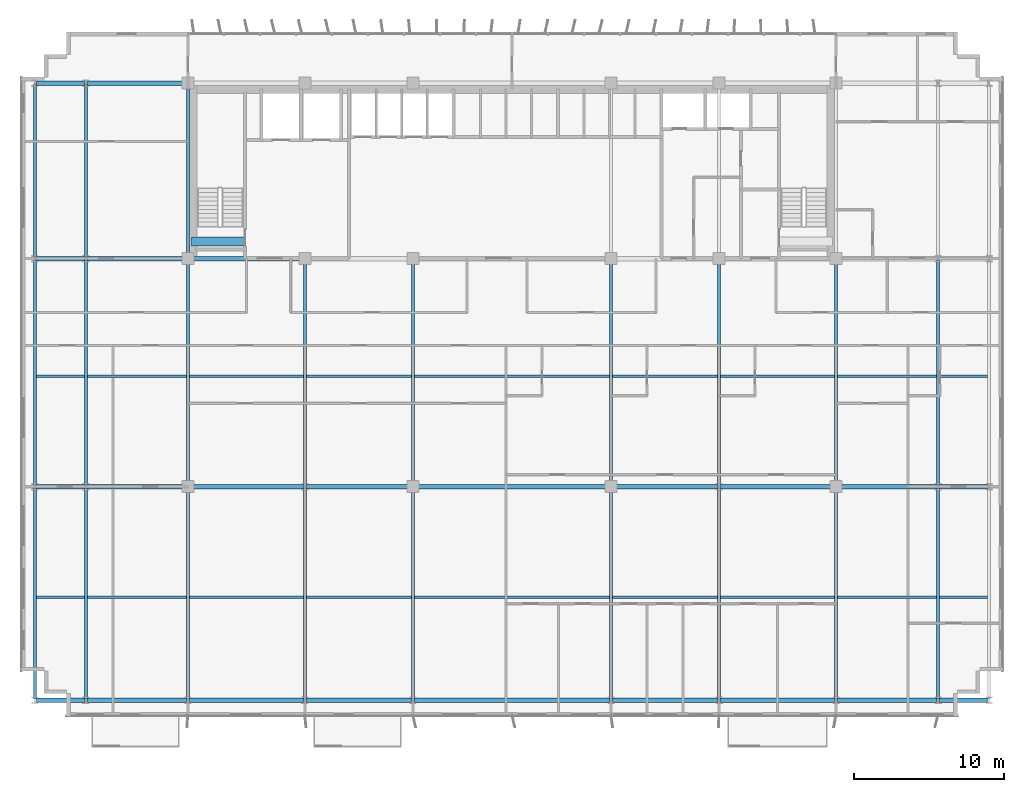
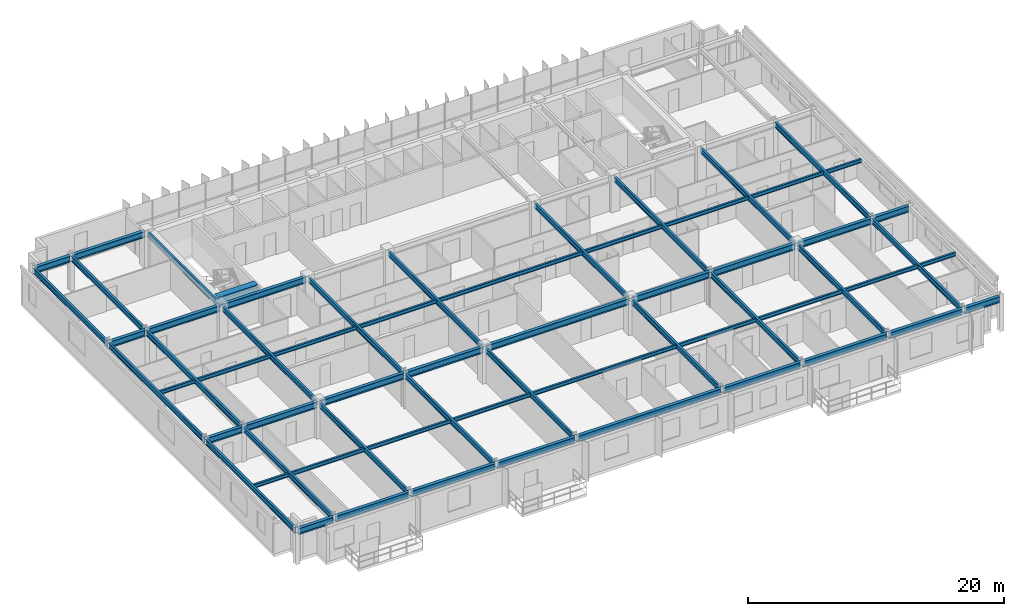
# One storey, part 4 of 22: 63 beams.
"""IFC4 building model written with IfcOpenShell, lengths in metres."""

from ifc_helpers import new_model, si_unit, direction, frame, origin, origin_2d, place, context, subcontext, project, spatial, rectangle, i_section, extrude, source, transform, mapped, material, material_profile, profile_set, type_object, element, save


model = new_model("IFC4")

# Units and contexts
model_context = context("Model", 3, precision=1e-05, world=origin(), true_north=direction((0.0, 1.0)))
body_context = subcontext(model_context, "Body", "Model", "MODEL_VIEW")
ifc_project = project(units=[si_unit("LENGTHUNIT", "METRE"), si_unit("AREAUNIT", "SQUARE_METRE"), si_unit("VOLUMEUNIT", "CUBIC_METRE"), si_unit("PLANEANGLEUNIT", "RADIAN"), si_unit("MASSUNIT", "GRAM", prefix="KILO")], contexts=[model_context])

# Site, building, storey
site_placement = place(None, origin())
site = spatial("IfcSite", under=ifc_project, at=site_placement, CompositionType="ELEMENT")
building_placement = place(site_placement, origin())
building = spatial("IfcBuilding", under=site, at=building_placement, Name="Trelvane Seafront Commons", CompositionType="ELEMENT")
storey_placement = place(building_placement, frame((0.0, 0.0, 88.89990234375)))
storey = spatial("IfcBuildingStorey", under=building, at=storey_placement, Name="L22", CompositionType="ELEMENT", Elevation=88.89990234375)

# Beams
ifc_material_1 = material(Name="Concrete C60/75", Category="concrete")
ifc_material_profile_1 = material_profile(ifc_material_1, rectangle(XDim=0.60009765625, YDim=0.89990234375, at=origin_2d()), Name="RC-600x900")
ifc_profile_set_1 = profile_set([ifc_material_profile_1], Name="Concrete C60/75")
beam_type_1 = type_object("IfcBeamType", Name="STR-LNT-RC600x900", PredefinedType="LINTEL", material=ifc_profile_set_1)
shared_shape_1 = source(origin(), body_context, "Body", "SweptSolid", [
    extrude(rectangle(XDim=0.60009765625, YDim=0.89990234375, at=origin_2d()), origin(), (0.0, 0.0, 1.0), 3.5498046875),
])
beam_1_placement = place(storey_placement, frame((15.85009765625, 34.550048828125, 2.89013671875), z_axis=(1.0, 0.0, 0.0), x_axis=(0.0, 1.0, 0.0)))
element("IfcBeam", 1, at=beam_1_placement, inside=storey, type_object=beam_type_1, Name="L22 Core Coupling Lintel Beam CB-85", PredefinedType="LINTEL", context=body_context, shape_type="MappedRepresentation", body=[
    mapped(shared_shape_1, transform((0.0, 0.0, 0.0), x_axis=(1.0, 0.0, 0.0), y_axis=(0.0, 1.0, 0.0), z_axis=(0.0, 0.0, 1.0), scale=1.0)),
])
ifc_material_2 = material(Name="Steel SM355 (S355)", Category="steel")
ifc_material_profile_2 = material_profile(ifc_material_2, i_section(OverallWidth=0.300048828125, OverallDepth=0.587890625, WebThickness=0.011962890625, FlangeThickness=0.02001953125, at=origin_2d()), Name="H-588x300x12x20")
ifc_profile_set_2 = profile_set([ifc_material_profile_2], Name="Steel SM355 (S355)")
beam_type_2 = type_object("IfcBeamType", Name="STR-BM-H588", PredefinedType="BEAM", material=ifc_profile_set_2)
shared_shape_2 = source(origin(), body_context, "Body", "SweptSolid", [
    extrude(i_section(OverallWidth=0.300048828125, OverallDepth=0.587890625, WebThickness=0.011962890625, FlangeThickness=0.02001953125, at=origin_2d()), origin(), (0.0, 0.0, 1.0), 7.550048828125),
])
beam_2_placement = place(storey_placement, frame((15.75, 18.199951171875, 3.046142578125), z_axis=(1.0, 0.0, 0.0), x_axis=(0.0, 1.0, 0.0)))
element("IfcBeam", 2, at=beam_2_placement, inside=storey, type_object=beam_type_2, Name="L22 Primary Girder G-12", PredefinedType="BEAM", context=body_context, shape_type="MappedRepresentation", body=[
    mapped(shared_shape_2, transform((0.0, 0.0, 0.0), x_axis=(1.0, 0.0, 0.0), y_axis=(0.0, 1.0, 0.0), z_axis=(0.0, 0.0, 1.0), scale=1.0)),
])
shared_shape_3 = source(origin(), body_context, "Body", "SweptSolid", [
    extrude(i_section(OverallWidth=0.300048828125, OverallDepth=0.587890625, WebThickness=0.011962890625, FlangeThickness=0.02001953125, at=origin_2d()), origin(), (0.0, 0.0, 1.0), 3.199951171875),
])
for number, where, z_axis, x_axis, name in (
    (3, (5.5, 3.949951171875, 3.046142578125), (1.0, 0.0, 0.0), (0.0, 1.0, 0.0), "L22 Primary Girder G-01"),
    (4, (65.699951171875, 3.949951171875, 3.046142578125), (1.0, 0.0, 0.0), (0.0, 1.0, 0.0), "L22 Primary Girder G-09"),
    (5, (5.5, 18.199951171875, 3.046142578125), (1.0, 0.0, 0.0), (0.0, 1.0, 0.0), "L22 Primary Girder G-10"),
    (6, (65.699951171875, 18.199951171875, 3.046142578125), (1.0, 0.0, 0.0), (0.0, 1.0, 0.0), "L22 Primary Girder G-18"),
    (7, (5.5, 33.39990234375, 3.046142578125), (1.0, 0.0, 0.0), (0.0, 1.0, 0.0), "L22 Primary Girder G-19"),
    (8, (5.5, 45.10009765625, 3.046142578125), (1.0, 0.0, 0.0), (0.0, 1.0, 0.0), "L22 Primary Girder G-28"),
):
    element("IfcBeam", number, at=place(storey_placement, frame(where, z_axis=z_axis, x_axis=x_axis)), inside=storey, type_object=beam_type_2, Name=name, PredefinedType="BEAM", context=body_context, shape_type="MappedRepresentation", body=[
        mapped(shared_shape_3, transform((0.0, 0.0, 0.0), x_axis=(1.0, 0.0, 0.0), y_axis=(0.0, 1.0, 0.0), z_axis=(0.0, 0.0, 1.0), scale=1.0)),
    ])
shared_shape_4 = source(origin(), body_context, "Body", "SweptSolid", [
    extrude(i_section(OverallWidth=0.300048828125, OverallDepth=0.587890625, WebThickness=0.011962890625, FlangeThickness=0.02001953125, at=origin_2d()), origin(), (0.0, 0.0, 1.0), 6.60009765625),
])
for number, where, z_axis, x_axis, name in (
    (9, (8.89990234375, 3.949951171875, 3.046142578125), (1.0, 0.0, 0.0), (0.0, 1.0, 0.0), "L22 Primary Girder G-02"),
    (10, (58.89990234375, 3.949951171875, 3.046142578125), (1.0, 0.0, 0.0), (0.0, 1.0, 0.0), "L22 Primary Girder G-08"),
):
    element("IfcBeam", number, at=place(storey_placement, frame(where, z_axis=z_axis, x_axis=x_axis)), inside=storey, type_object=beam_type_2, Name=name, PredefinedType="BEAM", context=body_context, shape_type="MappedRepresentation", body=[
        mapped(shared_shape_4, transform((0.0, 0.0, 0.0), x_axis=(1.0, 0.0, 0.0), y_axis=(0.0, 1.0, 0.0), z_axis=(0.0, 0.0, 1.0), scale=1.0)),
    ])
shared_shape_5 = source(origin(), body_context, "Body", "SweptSolid", [
    extrude(i_section(OverallWidth=0.300048828125, OverallDepth=0.587890625, WebThickness=0.011962890625, FlangeThickness=0.02001953125, at=origin_2d()), origin(), (0.0, 0.0, 1.0), 7.60009765625),
])
beam_3_placement = place(storey_placement, frame((15.699951171875, 3.949951171875, 3.046142578125), z_axis=(1.0, 0.0, 0.0), x_axis=(0.0, 1.0, 0.0)))
element("IfcBeam", 11, at=beam_3_placement, inside=storey, type_object=beam_type_2, Name="L22 Primary Girder G-03", PredefinedType="BEAM", context=body_context, shape_type="MappedRepresentation", body=[
    mapped(shared_shape_5, transform((0.0, 0.0, 0.0), x_axis=(1.0, 0.0, 0.0), y_axis=(0.0, 1.0, 0.0), z_axis=(0.0, 0.0, 1.0), scale=1.0)),
])
shared_shape_6 = source(origin(), body_context, "Body", "SweptSolid", [
    extrude(i_section(OverallWidth=0.300048828125, OverallDepth=0.587890625, WebThickness=0.011962890625, FlangeThickness=0.02001953125, at=origin_2d()), origin(), (0.0, 0.0, 1.0), 7.0),
])
for number, where, z_axis, x_axis, name in (
    (12, (23.5, 3.949951171875, 3.046142578125), (1.0, 0.0, 0.0), (0.0, 1.0, 0.0), "L22 Primary Girder G-04"),
    (13, (43.89990234375, 3.949951171875, 3.046142578125), (1.0, 0.0, 0.0), (0.0, 1.0, 0.0), "L22 Primary Girder G-06"),
):
    element("IfcBeam", number, at=place(storey_placement, frame(where, z_axis=z_axis, x_axis=x_axis)), inside=storey, type_object=beam_type_2, Name=name, PredefinedType="BEAM", context=body_context, shape_type="MappedRepresentation", body=[
        mapped(shared_shape_6, transform((0.0, 0.0, 0.0), x_axis=(1.0, 0.0, 0.0), y_axis=(0.0, 1.0, 0.0), z_axis=(0.0, 0.0, 1.0), scale=1.0)),
    ])
shared_shape_7 = source(origin(), body_context, "Body", "SweptSolid", [
    extrude(i_section(OverallWidth=0.300048828125, OverallDepth=0.587890625, WebThickness=0.011962890625, FlangeThickness=0.02001953125, at=origin_2d()), origin(), (0.0, 0.0, 1.0), 13.0),
])
beam_4_placement = place(storey_placement, frame((30.699951171875, 3.949951171875, 3.046142578125), z_axis=(1.0, 0.0, 0.0), x_axis=(0.0, 1.0, 0.0)))
element("IfcBeam", 14, at=beam_4_placement, inside=storey, type_object=beam_type_2, Name="L22 Primary Girder G-05", PredefinedType="BEAM", context=body_context, shape_type="MappedRepresentation", body=[
    mapped(shared_shape_7, transform((0.0, 0.0, 0.0), x_axis=(1.0, 0.0, 0.0), y_axis=(0.0, 1.0, 0.0), z_axis=(0.0, 0.0, 1.0), scale=1.0)),
])
shared_shape_8 = source(origin(), body_context, "Body", "SweptSolid", [
    extrude(i_section(OverallWidth=0.300048828125, OverallDepth=0.587890625, WebThickness=0.011962890625, FlangeThickness=0.02001953125, at=origin_2d()), origin(), (0.0, 0.0, 1.0), 7.599853515625),
])
beam_5_placement = place(storey_placement, frame((51.10009765625, 3.949951171875, 3.046142578125), z_axis=(1.0, 0.0, 0.0), x_axis=(0.0, 1.0, 0.0)))
element("IfcBeam", 15, at=beam_5_placement, inside=storey, type_object=beam_type_2, Name="L22 Primary Girder G-07", PredefinedType="BEAM", context=body_context, shape_type="MappedRepresentation", body=[
    mapped(shared_shape_8, transform((0.0, 0.0, 0.0), x_axis=(1.0, 0.0, 0.0), y_axis=(0.0, 1.0, 0.0), z_axis=(0.0, 0.0, 1.0), scale=1.0)),
])
shared_shape_9 = source(origin(), body_context, "Body", "SweptSolid", [
    extrude(i_section(OverallWidth=0.300048828125, OverallDepth=0.587890625, WebThickness=0.011962890625, FlangeThickness=0.02001953125, at=origin_2d()), origin(), (0.0, 0.0, 1.0), 6.550048828125),
])
for number, where, z_axis, x_axis, name in (
    (16, (8.89990234375, 18.199951171875, 3.046142578125), (1.0, 0.0, 0.0), (0.0, 1.0, 0.0), "L22 Primary Girder G-11"),
    (17, (58.949951171875, 18.199951171875, 3.046142578125), (1.0, 0.0, 0.0), (0.0, 1.0, 0.0), "L22 Primary Girder G-17"),
    (18, (8.89990234375, 33.39990234375, 3.046142578125), (1.0, 0.0, 0.0), (0.0, 1.0, 0.0), "L22 Primary Girder G-20"),
    (19, (8.89990234375, 45.10009765625, 3.046142578125), (1.0, 0.0, 0.0), (0.0, 1.0, 0.0), "L22 Primary Girder G-29"),
):
    element("IfcBeam", number, at=place(storey_placement, frame(where, z_axis=z_axis, x_axis=x_axis)), inside=storey, type_object=beam_type_2, Name=name, PredefinedType="BEAM", context=body_context, shape_type="MappedRepresentation", body=[
        mapped(shared_shape_9, transform((0.0, 0.0, 0.0), x_axis=(1.0, 0.0, 0.0), y_axis=(0.0, 1.0, 0.0), z_axis=(0.0, 0.0, 1.0), scale=1.0)),
    ])
shared_shape_10 = source(origin(), body_context, "Body", "SweptSolid", [
    extrude(i_section(OverallWidth=0.300048828125, OverallDepth=0.587890625, WebThickness=0.011962890625, FlangeThickness=0.02001953125, at=origin_2d()), origin(), (0.0, 0.0, 1.0), 6.949951171875),
])
for number, where, z_axis, x_axis, name in (
    (20, (23.5, 18.199951171875, 3.046142578125), (1.0, 0.0, 0.0), (0.0, 1.0, 0.0), "L22 Primary Girder G-13"),
    (21, (43.949951171875, 18.199951171875, 3.046142578125), (1.0, 0.0, 0.0), (0.0, 1.0, 0.0), "L22 Primary Girder G-15"),
):
    element("IfcBeam", number, at=place(storey_placement, frame(where, z_axis=z_axis, x_axis=x_axis)), inside=storey, type_object=beam_type_2, Name=name, PredefinedType="BEAM", context=body_context, shape_type="MappedRepresentation", body=[
        mapped(shared_shape_10, transform((0.0, 0.0, 0.0), x_axis=(1.0, 0.0, 0.0), y_axis=(0.0, 1.0, 0.0), z_axis=(0.0, 0.0, 1.0), scale=1.0)),
    ])
shared_shape_11 = source(origin(), body_context, "Body", "SweptSolid", [
    extrude(i_section(OverallWidth=0.300048828125, OverallDepth=0.587890625, WebThickness=0.011962890625, FlangeThickness=0.02001953125, at=origin_2d()), origin(), (0.0, 0.0, 1.0), 12.89990234375),
])
beam_6_placement = place(storey_placement, frame((30.75, 18.199951171875, 3.046142578125), z_axis=(1.0, 0.0, 0.0), x_axis=(0.0, 1.0, 0.0)))
element("IfcBeam", 22, at=beam_6_placement, inside=storey, type_object=beam_type_2, Name="L22 Primary Girder G-14", PredefinedType="BEAM", context=body_context, shape_type="MappedRepresentation", body=[
    mapped(shared_shape_11, transform((0.0, 0.0, 0.0), x_axis=(1.0, 0.0, 0.0), y_axis=(0.0, 1.0, 0.0), z_axis=(0.0, 0.0, 1.0), scale=1.0)),
])
shared_shape_12 = source(origin(), body_context, "Body", "SweptSolid", [
    extrude(i_section(OverallWidth=0.300048828125, OverallDepth=0.587890625, WebThickness=0.011962890625, FlangeThickness=0.02001953125, at=origin_2d()), origin(), (0.0, 0.0, 1.0), 7.5498046875),
])
beam_7_placement = place(storey_placement, frame((51.10009765625, 18.199951171875, 3.046142578125), z_axis=(1.0, 0.0, 0.0), x_axis=(0.0, 1.0, 0.0)))
element("IfcBeam", 23, at=beam_7_placement, inside=storey, type_object=beam_type_2, Name="L22 Primary Girder G-16", PredefinedType="BEAM", context=body_context, shape_type="MappedRepresentation", body=[
    mapped(shared_shape_12, transform((0.0, 0.0, 0.0), x_axis=(1.0, 0.0, 0.0), y_axis=(0.0, 1.0, 0.0), z_axis=(0.0, 0.0, 1.0), scale=1.0)),
])
shared_shape_13 = source(origin(), body_context, "Body", "SweptSolid", [
    extrude(i_section(OverallWidth=0.300048828125, OverallDepth=0.587890625, WebThickness=0.011962890625, FlangeThickness=0.02001953125, at=origin_2d()), origin(), (0.0, 0.0, 1.0), 7.5),
])
beam_8_placement = place(storey_placement, frame((15.75, 33.39990234375, 3.046142578125), z_axis=(1.0, 0.0, 0.0), x_axis=(0.0, 1.0, 0.0)))
element("IfcBeam", 24, at=beam_8_placement, inside=storey, type_object=beam_type_2, Name="L22 Primary Girder G-21", PredefinedType="BEAM", context=body_context, shape_type="MappedRepresentation", body=[
    mapped(shared_shape_13, transform((0.0, 0.0, 0.0), x_axis=(1.0, 0.0, 0.0), y_axis=(0.0, 1.0, 0.0), z_axis=(0.0, 0.0, 1.0), scale=1.0)),
])
ifc_material_profile_3 = material_profile(ifc_material_2, i_section(OverallWidth=0.199951171875, OverallDepth=0.5, WebThickness=0.010009765625, FlangeThickness=0.01611328125, at=origin_2d()), Name="H-500x200x10x16")
ifc_profile_set_3 = profile_set([ifc_material_profile_3], Name="Steel SM355 (S355)")
beam_type_3 = type_object("IfcBeamType", Name="STR-BM-H500", PredefinedType="BEAM", material=ifc_profile_set_3)
shared_shape_14 = source(origin(), body_context, "Body", "SweptSolid", [
    extrude(i_section(OverallWidth=0.199951171875, OverallDepth=0.5, WebThickness=0.010009765625, FlangeThickness=0.01611328125, at=origin_2d()), origin(), (0.0, 0.0, 1.0), 14.050048828125),
])
for number, where, z_axis, x_axis, name in (
    (25, (5.39990234375, 4.050048828125, 3.090087890625), (0.0, 1.0, 0.0), (-1.0, 0.0, 0.0), "L22 Primary Girder G-37"),
    (26, (8.800048828125, 4.050048828125, 3.090087890625), (0.0, 1.0, 0.0), (-1.0, 0.0, 0.0), "L22 Primary Girder G-40"),
    (27, (23.39990234375, 4.050048828125, 3.090087890625), (0.0, 1.0, 0.0), (-1.0, 0.0, 0.0), "L22 Primary Girder G-46"),
    (28, (51.0, 4.050048828125, 3.090087890625), (0.0, 1.0, 0.0), (-1.0, 0.0, 0.0), "L22 Primary Girder G-55"),
    (29, (65.60009765625, 4.050048828125, 3.090087890625), (0.0, 1.0, 0.0), (-1.0, 0.0, 0.0), "L22 Primary Girder G-61"),
):
    element("IfcBeam", number, at=place(storey_placement, frame(where, z_axis=z_axis, x_axis=x_axis)), inside=storey, type_object=beam_type_3, Name=name, PredefinedType="BEAM", context=body_context, shape_type="MappedRepresentation", body=[
        mapped(shared_shape_14, transform((0.0, 0.0, 0.0), x_axis=(1.0, 0.0, 0.0), y_axis=(0.0, 1.0, 0.0), z_axis=(0.0, 0.0, 1.0), scale=1.0)),
    ])
shared_shape_15 = source(origin(), body_context, "Body", "SweptSolid", [
    extrude(i_section(OverallWidth=0.199951171875, OverallDepth=0.5, WebThickness=0.010009765625, FlangeThickness=0.01611328125, at=origin_2d()), origin(), (0.0, 0.0, 1.0), 15.0),
])
for number, where, z_axis, x_axis, name in (
    (30, (5.39990234375, 18.300048828125, 3.090087890625), (0.0, 1.0, 0.0), (-1.0, 0.0, 0.0), "L22 Primary Girder G-38"),
    (31, (8.800048828125, 18.300048828125, 3.090087890625), (0.0, 1.0, 0.0), (-1.0, 0.0, 0.0), "L22 Primary Girder G-41"),
    (32, (65.60009765625, 18.300048828125, 3.090087890625), (0.0, 1.0, 0.0), (-1.0, 0.0, 0.0), "L22 Primary Girder G-62"),
):
    element("IfcBeam", number, at=place(storey_placement, frame(where, z_axis=z_axis, x_axis=x_axis)), inside=storey, type_object=beam_type_3, Name=name, PredefinedType="BEAM", context=body_context, shape_type="MappedRepresentation", body=[
        mapped(shared_shape_15, transform((0.0, 0.0, 0.0), x_axis=(1.0, 0.0, 0.0), y_axis=(0.0, 1.0, 0.0), z_axis=(0.0, 0.0, 1.0), scale=1.0)),
    ])
shared_shape_16 = source(origin(), body_context, "Body", "SweptSolid", [
    extrude(i_section(OverallWidth=0.199951171875, OverallDepth=0.5, WebThickness=0.010009765625, FlangeThickness=0.01611328125, at=origin_2d()), origin(), (0.0, 0.0, 1.0), 11.5),
])
for number, where, z_axis, x_axis, name in (
    (33, (5.39990234375, 33.5, 3.090087890625), (0.0, 1.0, 0.0), (-1.0, 0.0, 0.0), "L22 Primary Girder G-39"),
    (34, (8.800048828125, 33.5, 3.090087890625), (0.0, 1.0, 0.0), (-1.0, 0.0, 0.0), "L22 Primary Girder G-42"),
):
    element("IfcBeam", number, at=place(storey_placement, frame(where, z_axis=z_axis, x_axis=x_axis)), inside=storey, type_object=beam_type_3, Name=name, PredefinedType="BEAM", context=body_context, shape_type="MappedRepresentation", body=[
        mapped(shared_shape_16, transform((0.0, 0.0, 0.0), x_axis=(1.0, 0.0, 0.0), y_axis=(0.0, 1.0, 0.0), z_axis=(0.0, 0.0, 1.0), scale=1.0)),
    ])
shared_shape_17 = source(origin(), body_context, "Body", "SweptSolid", [
    extrude(i_section(OverallWidth=0.199951171875, OverallDepth=0.5, WebThickness=0.010009765625, FlangeThickness=0.01611328125, at=origin_2d()), origin(), (0.0, 0.0, 1.0), 14.0),
])
for number, where, z_axis, x_axis, name in (
    (35, (15.60009765625, 4.050048828125, 3.090087890625), (0.0, 1.0, 0.0), (-1.0, 0.0, 0.0), "L22 Primary Girder G-43"),
    (36, (30.60009765625, 4.050048828125, 3.090087890625), (0.0, 1.0, 0.0), (-1.0, 0.0, 0.0), "L22 Primary Girder G-49"),
    (37, (43.800048828125, 4.050048828125, 3.090087890625), (0.0, 1.0, 0.0), (-1.0, 0.0, 0.0), "L22 Primary Girder G-52"),
    (38, (58.800048828125, 4.050048828125, 3.090087890625), (0.0, 1.0, 0.0), (-1.0, 0.0, 0.0), "L22 Primary Girder G-58"),
):
    element("IfcBeam", number, at=place(storey_placement, frame(where, z_axis=z_axis, x_axis=x_axis)), inside=storey, type_object=beam_type_3, Name=name, PredefinedType="BEAM", context=body_context, shape_type="MappedRepresentation", body=[
        mapped(shared_shape_17, transform((0.0, 0.0, 0.0), x_axis=(1.0, 0.0, 0.0), y_axis=(0.0, 1.0, 0.0), z_axis=(0.0, 0.0, 1.0), scale=1.0)),
    ])
shared_shape_18 = source(origin(), body_context, "Body", "SweptSolid", [
    extrude(i_section(OverallWidth=0.199951171875, OverallDepth=0.5, WebThickness=0.010009765625, FlangeThickness=0.01611328125, at=origin_2d()), origin(), (0.0, 0.0, 1.0), 14.89990234375),
])
for number, where, z_axis, x_axis, name in (
    (39, (15.60009765625, 18.35009765625, 3.090087890625), (0.0, 1.0, 0.0), (-1.0, 0.0, 0.0), "L22 Primary Girder G-44"),
    (40, (30.60009765625, 18.35009765625, 3.090087890625), (0.0, 1.0, 0.0), (-1.0, 0.0, 0.0), "L22 Primary Girder G-50"),
    (41, (43.800048828125, 18.35009765625, 3.090087890625), (0.0, 1.0, 0.0), (-1.0, 0.0, 0.0), "L22 Primary Girder G-53"),
    (42, (58.800048828125, 18.35009765625, 3.090087890625), (0.0, 1.0, 0.0), (-1.0, 0.0, 0.0), "L22 Primary Girder G-59"),
):
    element("IfcBeam", number, at=place(storey_placement, frame(where, z_axis=z_axis, x_axis=x_axis)), inside=storey, type_object=beam_type_3, Name=name, PredefinedType="BEAM", context=body_context, shape_type="MappedRepresentation", body=[
        mapped(shared_shape_18, transform((0.0, 0.0, 0.0), x_axis=(1.0, 0.0, 0.0), y_axis=(0.0, 1.0, 0.0), z_axis=(0.0, 0.0, 1.0), scale=1.0)),
    ])
shared_shape_19 = source(origin(), body_context, "Body", "SweptSolid", [
    extrude(i_section(OverallWidth=0.199951171875, OverallDepth=0.5, WebThickness=0.010009765625, FlangeThickness=0.01611328125, at=origin_2d()), origin(), (0.0, 0.0, 1.0), 11.39990234375),
])
beam_9_placement = place(storey_placement, frame((15.60009765625, 33.550048828125, 3.090087890625), z_axis=(0.0, 1.0, 0.0), x_axis=(-1.0, 0.0, 0.0)))
element("IfcBeam", 43, at=beam_9_placement, inside=storey, type_object=beam_type_3, Name="L22 Primary Girder G-45", PredefinedType="BEAM", context=body_context, shape_type="MappedRepresentation", body=[
    mapped(shared_shape_19, transform((0.0, 0.0, 0.0), x_axis=(1.0, 0.0, 0.0), y_axis=(0.0, 1.0, 0.0), z_axis=(0.0, 0.0, 1.0), scale=1.0)),
])
shared_shape_20 = source(origin(), body_context, "Body", "SweptSolid", [
    extrude(i_section(OverallWidth=0.199951171875, OverallDepth=0.5, WebThickness=0.010009765625, FlangeThickness=0.01611328125, at=origin_2d()), origin(), (0.0, 0.0, 1.0), 14.949951171875),
])
for number, where, z_axis, x_axis, name in (
    (44, (23.39990234375, 18.300048828125, 3.090087890625), (0.0, 1.0, 0.0), (-1.0, 0.0, 0.0), "L22 Primary Girder G-47"),
    (45, (51.0, 18.300048828125, 3.090087890625), (0.0, 1.0, 0.0), (-1.0, 0.0, 0.0), "L22 Primary Girder G-56"),
):
    element("IfcBeam", number, at=place(storey_placement, frame(where, z_axis=z_axis, x_axis=x_axis)), inside=storey, type_object=beam_type_3, Name=name, PredefinedType="BEAM", context=body_context, shape_type="MappedRepresentation", body=[
        mapped(shared_shape_20, transform((0.0, 0.0, 0.0), x_axis=(1.0, 0.0, 0.0), y_axis=(0.0, 1.0, 0.0), z_axis=(0.0, 0.0, 1.0), scale=1.0)),
    ])
ifc_material_profile_4 = material_profile(ifc_material_2, i_section(OverallWidth=0.175048828125, OverallDepth=0.35009765625, WebThickness=0.007080078125, FlangeThickness=0.010986328125, at=origin_2d()), Name="H-350x175x7x11")
ifc_profile_set_4 = profile_set([ifc_material_profile_4], Name="Steel SM355 (S355)")
beam_type_4 = type_object("IfcBeamType", Name="STR-JST-H350", PredefinedType="JOIST", material=ifc_profile_set_4)
shared_shape_21 = source(origin(), body_context, "Body", "SweptSolid", [
    extrude(i_section(OverallWidth=0.175048828125, OverallDepth=0.35009765625, WebThickness=0.007080078125, FlangeThickness=0.010986328125, at=origin_2d()), origin(), (0.0, 0.0, 1.0), 3.199951171875),
])
for number, where, z_axis, x_axis, name in (
    (46, (5.5, 10.824951171875, 3.1650390625), (1.0, 0.0, 0.0), (0.0, 1.0, 0.0), "L22 Secondary Floor Joist B-67"),
    (47, (65.699951171875, 10.824951171875, 3.1650390625), (1.0, 0.0, 0.0), (0.0, 1.0, 0.0), "L22 Secondary Floor Joist B-75"),
    (48, (5.5, 25.550048828125, 3.1650390625), (1.0, 0.0, 0.0), (0.0, 1.0, 0.0), "L22 Secondary Floor Joist B-76"),
    (49, (65.699951171875, 25.550048828125, 3.1650390625), (1.0, 0.0, 0.0), (0.0, 1.0, 0.0), "L22 Secondary Floor Joist B-84"),
):
    element("IfcBeam", number, at=place(storey_placement, frame(where, z_axis=z_axis, x_axis=x_axis)), inside=storey, type_object=beam_type_4, Name=name, PredefinedType="JOIST", context=body_context, shape_type="MappedRepresentation", body=[
        mapped(shared_shape_21, transform((0.0, 0.0, 0.0), x_axis=(1.0, 0.0, 0.0), y_axis=(0.0, 1.0, 0.0), z_axis=(0.0, 0.0, 1.0), scale=1.0)),
    ])
shared_shape_22 = source(origin(), body_context, "Body", "SweptSolid", [
    extrude(i_section(OverallWidth=0.175048828125, OverallDepth=0.35009765625, WebThickness=0.007080078125, FlangeThickness=0.010986328125, at=origin_2d()), origin(), (0.0, 0.0, 1.0), 6.60009765625),
])
for number, where, z_axis, x_axis, name in (
    (50, (8.89990234375, 10.824951171875, 3.1650390625), (1.0, 0.0, 0.0), (0.0, 1.0, 0.0), "L22 Secondary Floor Joist B-68"),
    (51, (58.89990234375, 10.824951171875, 3.1650390625), (1.0, 0.0, 0.0), (0.0, 1.0, 0.0), "L22 Secondary Floor Joist B-74"),
    (52, (8.89990234375, 25.550048828125, 3.1650390625), (1.0, 0.0, 0.0), (0.0, 1.0, 0.0), "L22 Secondary Floor Joist B-77"),
    (53, (58.89990234375, 25.550048828125, 3.1650390625), (1.0, 0.0, 0.0), (0.0, 1.0, 0.0), "L22 Secondary Floor Joist B-83"),
):
    element("IfcBeam", number, at=place(storey_placement, frame(where, z_axis=z_axis, x_axis=x_axis)), inside=storey, type_object=beam_type_4, Name=name, PredefinedType="JOIST", context=body_context, shape_type="MappedRepresentation", body=[
        mapped(shared_shape_22, transform((0.0, 0.0, 0.0), x_axis=(1.0, 0.0, 0.0), y_axis=(0.0, 1.0, 0.0), z_axis=(0.0, 0.0, 1.0), scale=1.0)),
    ])
shared_shape_23 = source(origin(), body_context, "Body", "SweptSolid", [
    extrude(i_section(OverallWidth=0.175048828125, OverallDepth=0.35009765625, WebThickness=0.007080078125, FlangeThickness=0.010986328125, at=origin_2d()), origin(), (0.0, 0.0, 1.0), 7.60009765625),
])
for number, where, z_axis, x_axis, name in (
    (54, (15.699951171875, 10.824951171875, 3.1650390625), (1.0, 0.0, 0.0), (0.0, 1.0, 0.0), "L22 Secondary Floor Joist B-69"),
    (55, (15.699951171875, 25.550048828125, 3.1650390625), (1.0, 0.0, 0.0), (0.0, 1.0, 0.0), "L22 Secondary Floor Joist B-78"),
):
    element("IfcBeam", number, at=place(storey_placement, frame(where, z_axis=z_axis, x_axis=x_axis)), inside=storey, type_object=beam_type_4, Name=name, PredefinedType="JOIST", context=body_context, shape_type="MappedRepresentation", body=[
        mapped(shared_shape_23, transform((0.0, 0.0, 0.0), x_axis=(1.0, 0.0, 0.0), y_axis=(0.0, 1.0, 0.0), z_axis=(0.0, 0.0, 1.0), scale=1.0)),
    ])
shared_shape_24 = source(origin(), body_context, "Body", "SweptSolid", [
    extrude(i_section(OverallWidth=0.175048828125, OverallDepth=0.35009765625, WebThickness=0.007080078125, FlangeThickness=0.010986328125, at=origin_2d()), origin(), (0.0, 0.0, 1.0), 7.0),
])
for number, where, z_axis, x_axis, name in (
    (56, (23.5, 10.824951171875, 3.1650390625), (1.0, 0.0, 0.0), (0.0, 1.0, 0.0), "L22 Secondary Floor Joist B-70"),
    (57, (43.89990234375, 10.824951171875, 3.1650390625), (1.0, 0.0, 0.0), (0.0, 1.0, 0.0), "L22 Secondary Floor Joist B-72"),
    (58, (23.5, 25.550048828125, 3.1650390625), (1.0, 0.0, 0.0), (0.0, 1.0, 0.0), "L22 Secondary Floor Joist B-79"),
    (59, (43.89990234375, 25.550048828125, 3.1650390625), (1.0, 0.0, 0.0), (0.0, 1.0, 0.0), "L22 Secondary Floor Joist B-81"),
):
    element("IfcBeam", number, at=place(storey_placement, frame(where, z_axis=z_axis, x_axis=x_axis)), inside=storey, type_object=beam_type_4, Name=name, PredefinedType="JOIST", context=body_context, shape_type="MappedRepresentation", body=[
        mapped(shared_shape_24, transform((0.0, 0.0, 0.0), x_axis=(1.0, 0.0, 0.0), y_axis=(0.0, 1.0, 0.0), z_axis=(0.0, 0.0, 1.0), scale=1.0)),
    ])
shared_shape_25 = source(origin(), body_context, "Body", "SweptSolid", [
    extrude(i_section(OverallWidth=0.175048828125, OverallDepth=0.35009765625, WebThickness=0.007080078125, FlangeThickness=0.010986328125, at=origin_2d()), origin(), (0.0, 0.0, 1.0), 13.0),
])
for number, where, z_axis, x_axis, name in (
    (60, (30.699951171875, 10.824951171875, 3.1650390625), (1.0, 0.0, 0.0), (0.0, 1.0, 0.0), "L22 Secondary Floor Joist B-71"),
    (61, (30.699951171875, 25.550048828125, 3.1650390625), (1.0, 0.0, 0.0), (0.0, 1.0, 0.0), "L22 Secondary Floor Joist B-80"),
):
    element("IfcBeam", number, at=place(storey_placement, frame(where, z_axis=z_axis, x_axis=x_axis)), inside=storey, type_object=beam_type_4, Name=name, PredefinedType="JOIST", context=body_context, shape_type="MappedRepresentation", body=[
        mapped(shared_shape_25, transform((0.0, 0.0, 0.0), x_axis=(1.0, 0.0, 0.0), y_axis=(0.0, 1.0, 0.0), z_axis=(0.0, 0.0, 1.0), scale=1.0)),
    ])
shared_shape_26 = source(origin(), body_context, "Body", "SweptSolid", [
    extrude(i_section(OverallWidth=0.175048828125, OverallDepth=0.35009765625, WebThickness=0.007080078125, FlangeThickness=0.010986328125, at=origin_2d()), origin(), (0.0, 0.0, 1.0), 7.599853515625),
])
for number, where, z_axis, x_axis, name in (
    (62, (51.10009765625, 10.824951171875, 3.1650390625), (1.0, 0.0, 0.0), (0.0, 1.0, 0.0), "L22 Secondary Floor Joist B-73"),
    (63, (51.10009765625, 25.550048828125, 3.1650390625), (1.0, 0.0, 0.0), (0.0, 1.0, 0.0), "L22 Secondary Floor Joist B-82"),
):
    element("IfcBeam", number, at=place(storey_placement, frame(where, z_axis=z_axis, x_axis=x_axis)), inside=storey, type_object=beam_type_4, Name=name, PredefinedType="JOIST", context=body_context, shape_type="MappedRepresentation", body=[
        mapped(shared_shape_26, transform((0.0, 0.0, 0.0), x_axis=(1.0, 0.0, 0.0), y_axis=(0.0, 1.0, 0.0), z_axis=(0.0, 0.0, 1.0), scale=1.0)),
    ])

save(model, "model.ifc")
